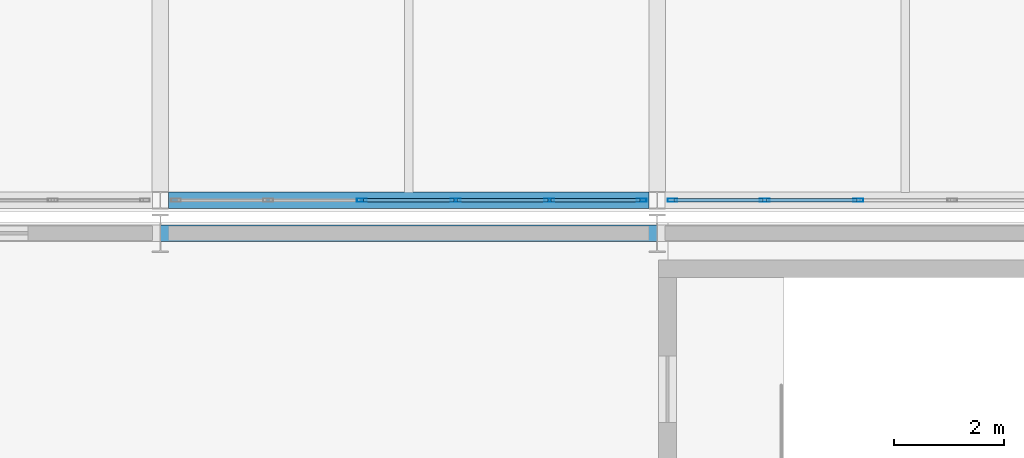
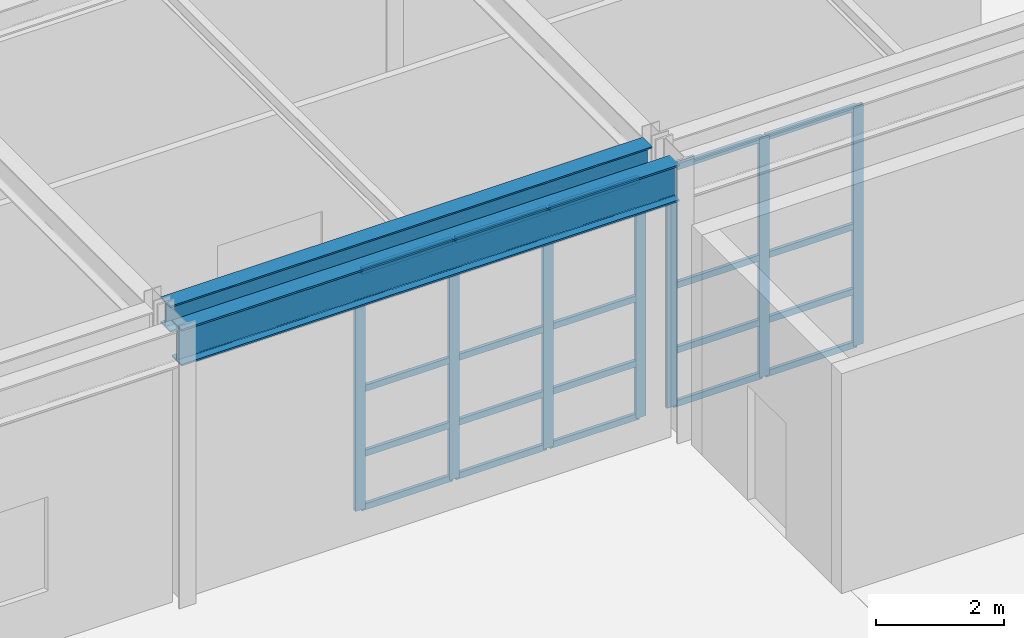
# One storey, part 25 of 239: 27 members, 2 beams, 2 elements without a shape of their own.
"""IFC4 building model written with IfcOpenShell, lengths in metres."""

from ifc_helpers import new_model, si_unit, direction, frame, origin, origin_2d, place, context, subcontext, project, spatial, hollow_rectangle, i_section, extrude, material, material_profile, profile_set, type_object, element, aggregate, save


model = new_model("IFC4")

# Units and contexts
model_context = context("Model", 3, precision=1e-05, world=origin(), true_north=direction((0.0, 1.0)))
body_context = subcontext(model_context, "Body", "Model", "MODEL_VIEW")
ifc_project = project(units=[si_unit("LENGTHUNIT", "METRE"), si_unit("AREAUNIT", "SQUARE_METRE"), si_unit("VOLUMEUNIT", "CUBIC_METRE"), si_unit("PLANEANGLEUNIT", "RADIAN"), si_unit("MASSUNIT", "GRAM", prefix="KILO")], contexts=[model_context])

# Site, building, storey
site_placement = place(None, origin())
site = spatial("IfcSite", under=ifc_project, at=site_placement, CompositionType="ELEMENT")
building_placement = place(site_placement, origin())
building = spatial("IfcBuilding", under=site, at=building_placement, Name="Kaldris Quays Convention Centre", CompositionType="ELEMENT")
storey_placement = place(building_placement, frame((0.0, 0.0, 11.39990234375)))
storey = spatial("IfcBuildingStorey", under=building, at=storey_placement, Name="L02", CompositionType="ELEMENT", Elevation=11.39990234375)

# Curtain wall, members
ifc_material_1 = material(Name="Anodized aluminium AW-6060 and triple glazing", Category="aluminium")
curtain_wall_type = type_object("IfcCurtainWallType", Name="UNITISED CURTAIN WALL CW02", PredefinedType="NOTDEFINED", material=ifc_material_1)
curtain_wall_1_placement = place(storey_placement, origin())
curtain_wall_1 = element("IfcCurtainWall", 1, at=curtain_wall_1_placement, inside=storey, type_object=curtain_wall_type, Name="L02 Unitised Curtain Wall CW02 98", PredefinedType="NOTDEFINED")
ifc_material_2 = material(Name="Anodized aluminium AW-6060", Category="aluminium")
ifc_material_profile_1 = material_profile(ifc_material_2, hollow_rectangle(XDim=0.06005859375, YDim=0.179931640625, WallThickness=0.0048828125, at=origin_2d()), Name="RHS 180x60x5")
ifc_profile_set_1 = profile_set([ifc_material_profile_1], Name="Anodized aluminium AW-6060")
member_type_1 = type_object("IfcMemberType", Name="CURTAIN MULLION CWM2", PredefinedType="MULLION", material=ifc_profile_set_1)
member_1_placement = place(storey_placement, frame((41.64990234375, 46.60009765625, 0.0), z_axis=(0.0, 0.0, 1.0), x_axis=(0.0, 1.0, 0.0)))
member_1 = element("IfcMember", 2, at=member_1_placement, type_object=member_type_1, Name="CW02 mullion 3", PredefinedType="MULLION", context=body_context, shape_type="SweptSolid", body=[
    extrude(hollow_rectangle(XDim=0.06005859375, YDim=0.179931640625, WallThickness=0.0048828125, at=origin_2d()), origin(), (0.0, 0.0, 1.0), 4.578125),
])
member_2_placement = place(storey_placement, frame((43.35009765625, 46.60009765625, 0.0), z_axis=(0.0, 0.0, 1.0), x_axis=(0.0, 1.0, 0.0)))
member_2 = element("IfcMember", 3, at=member_2_placement, type_object=member_type_1, Name="CW02 mullion 4", PredefinedType="MULLION", context=body_context, shape_type="SweptSolid", body=[
    extrude(hollow_rectangle(XDim=0.06005859375, YDim=0.179931640625, WallThickness=0.0048828125, at=origin_2d()), origin(), (0.0, 0.0, 1.0), 4.578125),
])
member_3_placement = place(storey_placement, frame((45.050048828125, 46.60009765625, 0.0), z_axis=(0.0, 0.0, 1.0), x_axis=(0.0, 1.0, 0.0)))
member_3 = element("IfcMember", 4, at=member_3_placement, type_object=member_type_1, Name="CW02 mullion 5", PredefinedType="MULLION", context=body_context, shape_type="SweptSolid", body=[
    extrude(hollow_rectangle(XDim=0.06005859375, YDim=0.179931640625, WallThickness=0.0048828125, at=origin_2d()), origin(), (0.0, 0.0, 1.0), 4.578125),
])
member_4_placement = place(storey_placement, frame((46.719970703125, 46.60009765625, 0.0), z_axis=(0.0, 0.0, 1.0), x_axis=(0.0, 1.0, 0.0)))
member_4 = element("IfcMember", 5, at=member_4_placement, type_object=member_type_1, Name="CW02 mullion 6", PredefinedType="MULLION", context=body_context, shape_type="SweptSolid", body=[
    extrude(hollow_rectangle(XDim=0.06005859375, YDim=0.179931640625, WallThickness=0.0048828125, at=origin_2d()), origin(), (0.0, 0.0, 1.0), 4.578125),
])

curtain_wall_2_placement = place(storey_placement, origin())
curtain_wall_2 = element("IfcCurtainWall", 6, at=curtain_wall_2_placement, inside=storey, type_object=curtain_wall_type, Name="L02 Unitised Curtain Wall CW02 99", PredefinedType="NOTDEFINED")
member_5_placement = place(storey_placement, frame((47.280029296875, 46.60009765625, 0.0), z_axis=(0.0, 0.0, 1.0), x_axis=(0.0, 1.0, 0.0)))
member_5 = element("IfcMember", 7, at=member_5_placement, type_object=member_type_1, Name="CW02 mullion 1", PredefinedType="MULLION", context=body_context, shape_type="SweptSolid", body=[
    extrude(hollow_rectangle(XDim=0.06005859375, YDim=0.179931640625, WallThickness=0.0048828125, at=origin_2d()), origin(), (0.0, 0.0, 1.0), 4.578125),
])
member_6_placement = place(storey_placement, frame((48.949951171875, 46.60009765625, 0.0), z_axis=(0.0, 0.0, 1.0), x_axis=(0.0, 1.0, 0.0)))
member_6 = element("IfcMember", 8, at=member_6_placement, type_object=member_type_1, Name="CW02 mullion 2", PredefinedType="MULLION", context=body_context, shape_type="SweptSolid", body=[
    extrude(hollow_rectangle(XDim=0.06005859375, YDim=0.179931640625, WallThickness=0.0048828125, at=origin_2d()), origin(), (0.0, 0.0, 1.0), 4.578125),
])
member_7_placement = place(storey_placement, frame((50.64990234375, 46.60009765625, 0.0), z_axis=(0.0, 0.0, 1.0), x_axis=(0.0, 1.0, 0.0)))
member_7 = element("IfcMember", 9, at=member_7_placement, type_object=member_type_1, Name="CW02 mullion 3", PredefinedType="MULLION", context=body_context, shape_type="SweptSolid", body=[
    extrude(hollow_rectangle(XDim=0.06005859375, YDim=0.179931640625, WallThickness=0.0048828125, at=origin_2d()), origin(), (0.0, 0.0, 1.0), 4.578125),
])

# Member
ifc_material_profile_2 = material_profile(ifc_material_2, hollow_rectangle(XDim=0.06005859375, YDim=0.1201171875, WallThickness=0.00390625, at=origin_2d()), Name="RHS 120x60x4")
ifc_profile_set_2 = profile_set([ifc_material_profile_2], Name="Anodized aluminium AW-6060")
member_type_2 = type_object("IfcMemberType", Name="CURTAIN TRANSOM CWT1", PredefinedType="USERDEFINED", material=ifc_profile_set_2)
member_8_placement = place(storey_placement, frame((41.679931640625, 46.60009765625, 0.030029296875), z_axis=(1.0, 0.0, 0.0), x_axis=(0.0, 1.0, 0.0)))
member_8 = element("IfcMember", 10, at=member_8_placement, type_object=member_type_2, Name="CW02 transom 3.1", ObjectType="TRANSOM", PredefinedType="USERDEFINED", context=body_context, shape_type="SweptSolid", body=[
    extrude(hollow_rectangle(XDim=0.06005859375, YDim=0.1201171875, WallThickness=0.00390625, at=origin_2d()), origin(), (0.0, 0.0, 1.0), 1.64013671875),
])

member_9_placement = place(storey_placement, frame((41.679931640625, 46.60009765625, 1.050048828125), z_axis=(1.0, 0.0, 0.0), x_axis=(0.0, 1.0, 0.0)))
member_9 = element("IfcMember", 11, at=member_9_placement, type_object=member_type_2, Name="CW02 transom 3.2", ObjectType="TRANSOM", PredefinedType="USERDEFINED", context=body_context, shape_type="SweptSolid", body=[
    extrude(hollow_rectangle(XDim=0.06005859375, YDim=0.1201171875, WallThickness=0.00390625, at=origin_2d()), origin(), (0.0, 0.0, 1.0), 1.64013671875),
])

member_10_placement = place(storey_placement, frame((41.679931640625, 46.60009765625, 2.2890625), z_axis=(1.0, 0.0, 0.0), x_axis=(0.0, 1.0, 0.0)))
member_10 = element("IfcMember", 12, at=member_10_placement, type_object=member_type_2, Name="CW02 transom 3.3", ObjectType="TRANSOM", PredefinedType="USERDEFINED", context=body_context, shape_type="SweptSolid", body=[
    extrude(hollow_rectangle(XDim=0.06005859375, YDim=0.1201171875, WallThickness=0.00390625, at=origin_2d()), origin(), (0.0, 0.0, 1.0), 1.64013671875),
])

member_11_placement = place(storey_placement, frame((41.679931640625, 46.60009765625, 4.548095703125), z_axis=(1.0, 0.0, 0.0), x_axis=(0.0, 1.0, 0.0)))
member_11 = element("IfcMember", 13, at=member_11_placement, type_object=member_type_2, Name="CW02 transom 3.4", ObjectType="TRANSOM", PredefinedType="USERDEFINED", context=body_context, shape_type="SweptSolid", body=[
    extrude(hollow_rectangle(XDim=0.06005859375, YDim=0.1201171875, WallThickness=0.00390625, at=origin_2d()), origin(), (0.0, 0.0, 1.0), 1.64013671875),
])

member_12_placement = place(storey_placement, frame((43.3798828125, 46.60009765625, 0.030029296875), z_axis=(1.0, 0.0, 0.0), x_axis=(0.0, 1.0, 0.0)))
member_12 = element("IfcMember", 14, at=member_12_placement, type_object=member_type_2, Name="CW02 transom 4.1", ObjectType="TRANSOM", PredefinedType="USERDEFINED", context=body_context, shape_type="SweptSolid", body=[
    extrude(hollow_rectangle(XDim=0.06005859375, YDim=0.1201171875, WallThickness=0.00390625, at=origin_2d()), origin(), (0.0, 0.0, 1.0), 1.64013671875),
])

member_13_placement = place(storey_placement, frame((43.3798828125, 46.60009765625, 1.050048828125), z_axis=(1.0, 0.0, 0.0), x_axis=(0.0, 1.0, 0.0)))
member_13 = element("IfcMember", 15, at=member_13_placement, type_object=member_type_2, Name="CW02 transom 4.2", ObjectType="TRANSOM", PredefinedType="USERDEFINED", context=body_context, shape_type="SweptSolid", body=[
    extrude(hollow_rectangle(XDim=0.06005859375, YDim=0.1201171875, WallThickness=0.00390625, at=origin_2d()), origin(), (0.0, 0.0, 1.0), 1.64013671875),
])

member_14_placement = place(storey_placement, frame((43.3798828125, 46.60009765625, 2.2890625), z_axis=(1.0, 0.0, 0.0), x_axis=(0.0, 1.0, 0.0)))
member_14 = element("IfcMember", 16, at=member_14_placement, type_object=member_type_2, Name="CW02 transom 4.3", ObjectType="TRANSOM", PredefinedType="USERDEFINED", context=body_context, shape_type="SweptSolid", body=[
    extrude(hollow_rectangle(XDim=0.06005859375, YDim=0.1201171875, WallThickness=0.00390625, at=origin_2d()), origin(), (0.0, 0.0, 1.0), 1.64013671875),
])

member_15_placement = place(storey_placement, frame((43.3798828125, 46.60009765625, 4.548095703125), z_axis=(1.0, 0.0, 0.0), x_axis=(0.0, 1.0, 0.0)))
member_15 = element("IfcMember", 17, at=member_15_placement, type_object=member_type_2, Name="CW02 transom 4.4", ObjectType="TRANSOM", PredefinedType="USERDEFINED", context=body_context, shape_type="SweptSolid", body=[
    extrude(hollow_rectangle(XDim=0.06005859375, YDim=0.1201171875, WallThickness=0.00390625, at=origin_2d()), origin(), (0.0, 0.0, 1.0), 1.64013671875),
])

member_16_placement = place(storey_placement, frame((45.080078125, 46.60009765625, 0.030029296875), z_axis=(1.0, 0.0, 0.0), x_axis=(0.0, 1.0, 0.0)))
member_16 = element("IfcMember", 18, at=member_16_placement, type_object=member_type_2, Name="CW02 transom 5.1", ObjectType="TRANSOM", PredefinedType="USERDEFINED", context=body_context, shape_type="SweptSolid", body=[
    extrude(hollow_rectangle(XDim=0.06005859375, YDim=0.1201171875, WallThickness=0.00390625, at=origin_2d()), origin(), (0.0, 0.0, 1.0), 1.60986328125),
])

member_17_placement = place(storey_placement, frame((45.080078125, 46.60009765625, 1.050048828125), z_axis=(1.0, 0.0, 0.0), x_axis=(0.0, 1.0, 0.0)))
member_17 = element("IfcMember", 19, at=member_17_placement, type_object=member_type_2, Name="CW02 transom 5.2", ObjectType="TRANSOM", PredefinedType="USERDEFINED", context=body_context, shape_type="SweptSolid", body=[
    extrude(hollow_rectangle(XDim=0.06005859375, YDim=0.1201171875, WallThickness=0.00390625, at=origin_2d()), origin(), (0.0, 0.0, 1.0), 1.60986328125),
])

member_18_placement = place(storey_placement, frame((45.080078125, 46.60009765625, 2.2890625), z_axis=(1.0, 0.0, 0.0), x_axis=(0.0, 1.0, 0.0)))
member_18 = element("IfcMember", 20, at=member_18_placement, type_object=member_type_2, Name="CW02 transom 5.3", ObjectType="TRANSOM", PredefinedType="USERDEFINED", context=body_context, shape_type="SweptSolid", body=[
    extrude(hollow_rectangle(XDim=0.06005859375, YDim=0.1201171875, WallThickness=0.00390625, at=origin_2d()), origin(), (0.0, 0.0, 1.0), 1.60986328125),
])

member_19_placement = place(storey_placement, frame((45.080078125, 46.60009765625, 4.548095703125), z_axis=(1.0, 0.0, 0.0), x_axis=(0.0, 1.0, 0.0)))
member_19 = element("IfcMember", 21, at=member_19_placement, type_object=member_type_2, Name="CW02 transom 5.4", ObjectType="TRANSOM", PredefinedType="USERDEFINED", context=body_context, shape_type="SweptSolid", body=[
    extrude(hollow_rectangle(XDim=0.06005859375, YDim=0.1201171875, WallThickness=0.00390625, at=origin_2d()), origin(), (0.0, 0.0, 1.0), 1.60986328125),
])

aggregate(curtain_wall_1, [member_1, member_2, member_3, member_4, member_8, member_9, member_10, member_11, member_12, member_13, member_14, member_15, member_16, member_17, member_18, member_19])

member_20_placement = place(storey_placement, frame((47.31005859375, 46.60009765625, 0.030029296875), z_axis=(1.0, 0.0, 0.0), x_axis=(0.0, 1.0, 0.0)))
member_20 = element("IfcMember", 22, at=member_20_placement, type_object=member_type_2, Name="CW02 transom 1.1", ObjectType="TRANSOM", PredefinedType="USERDEFINED", context=body_context, shape_type="SweptSolid", body=[
    extrude(hollow_rectangle(XDim=0.06005859375, YDim=0.1201171875, WallThickness=0.00390625, at=origin_2d()), origin(), (0.0, 0.0, 1.0), 1.60986328125),
])

member_21_placement = place(storey_placement, frame((47.31005859375, 46.60009765625, 1.050048828125), z_axis=(1.0, 0.0, 0.0), x_axis=(0.0, 1.0, 0.0)))
member_21 = element("IfcMember", 23, at=member_21_placement, type_object=member_type_2, Name="CW02 transom 1.2", ObjectType="TRANSOM", PredefinedType="USERDEFINED", context=body_context, shape_type="SweptSolid", body=[
    extrude(hollow_rectangle(XDim=0.06005859375, YDim=0.1201171875, WallThickness=0.00390625, at=origin_2d()), origin(), (0.0, 0.0, 1.0), 1.60986328125),
])

member_22_placement = place(storey_placement, frame((47.31005859375, 46.60009765625, 2.2890625), z_axis=(1.0, 0.0, 0.0), x_axis=(0.0, 1.0, 0.0)))
member_22 = element("IfcMember", 24, at=member_22_placement, type_object=member_type_2, Name="CW02 transom 1.3", ObjectType="TRANSOM", PredefinedType="USERDEFINED", context=body_context, shape_type="SweptSolid", body=[
    extrude(hollow_rectangle(XDim=0.06005859375, YDim=0.1201171875, WallThickness=0.00390625, at=origin_2d()), origin(), (0.0, 0.0, 1.0), 1.60986328125),
])

member_23_placement = place(storey_placement, frame((47.31005859375, 46.60009765625, 4.548095703125), z_axis=(1.0, 0.0, 0.0), x_axis=(0.0, 1.0, 0.0)))
member_23 = element("IfcMember", 25, at=member_23_placement, type_object=member_type_2, Name="CW02 transom 1.4", ObjectType="TRANSOM", PredefinedType="USERDEFINED", context=body_context, shape_type="SweptSolid", body=[
    extrude(hollow_rectangle(XDim=0.06005859375, YDim=0.1201171875, WallThickness=0.00390625, at=origin_2d()), origin(), (0.0, 0.0, 1.0), 1.60986328125),
])

member_24_placement = place(storey_placement, frame((48.97998046875, 46.60009765625, 0.030029296875), z_axis=(1.0, 0.0, 0.0), x_axis=(0.0, 1.0, 0.0)))
member_24 = element("IfcMember", 26, at=member_24_placement, type_object=member_type_2, Name="CW02 transom 2.1", ObjectType="TRANSOM", PredefinedType="USERDEFINED", context=body_context, shape_type="SweptSolid", body=[
    extrude(hollow_rectangle(XDim=0.06005859375, YDim=0.1201171875, WallThickness=0.00390625, at=origin_2d()), origin(), (0.0, 0.0, 1.0), 1.64013671875),
])

member_25_placement = place(storey_placement, frame((48.97998046875, 46.60009765625, 1.050048828125), z_axis=(1.0, 0.0, 0.0), x_axis=(0.0, 1.0, 0.0)))
member_25 = element("IfcMember", 27, at=member_25_placement, type_object=member_type_2, Name="CW02 transom 2.2", ObjectType="TRANSOM", PredefinedType="USERDEFINED", context=body_context, shape_type="SweptSolid", body=[
    extrude(hollow_rectangle(XDim=0.06005859375, YDim=0.1201171875, WallThickness=0.00390625, at=origin_2d()), origin(), (0.0, 0.0, 1.0), 1.64013671875),
])

member_26_placement = place(storey_placement, frame((48.97998046875, 46.60009765625, 2.2890625), z_axis=(1.0, 0.0, 0.0), x_axis=(0.0, 1.0, 0.0)))
member_26 = element("IfcMember", 28, at=member_26_placement, type_object=member_type_2, Name="CW02 transom 2.3", ObjectType="TRANSOM", PredefinedType="USERDEFINED", context=body_context, shape_type="SweptSolid", body=[
    extrude(hollow_rectangle(XDim=0.06005859375, YDim=0.1201171875, WallThickness=0.00390625, at=origin_2d()), origin(), (0.0, 0.0, 1.0), 1.64013671875),
])

member_27_placement = place(storey_placement, frame((48.97998046875, 46.60009765625, 4.548095703125), z_axis=(1.0, 0.0, 0.0), x_axis=(0.0, 1.0, 0.0)))
member_27 = element("IfcMember", 29, at=member_27_placement, type_object=member_type_2, Name="CW02 transom 2.4", ObjectType="TRANSOM", PredefinedType="USERDEFINED", context=body_context, shape_type="SweptSolid", body=[
    extrude(hollow_rectangle(XDim=0.06005859375, YDim=0.1201171875, WallThickness=0.00390625, at=origin_2d()), origin(), (0.0, 0.0, 1.0), 1.64013671875),
])

aggregate(curtain_wall_2, [member_5, member_6, member_7, member_20, member_21, member_22, member_23, member_24, member_25, member_26, member_27])

# Beams
ifc_material_3 = material(Name="Steel S355J2", Category="steel")
ifc_material_profile_3 = material_profile(ifc_material_3, i_section(OverallWidth=0.300048828125, OverallDepth=0.699951171875, WebThickness=0.01708984375, FlangeThickness=0.031982421875, FilletRadius=0.027099609375, at=origin_2d()), Name="HEB 700")
ifc_profile_set_3 = profile_set([ifc_material_profile_3], Name="Steel S355J2")
beam_type_1 = type_object("IfcBeamType", Name="STRUCTURAL BEAM BM04", PredefinedType="BEAM", material=ifc_profile_set_3)
beam_1_placement = place(storey_placement, frame((38.00244140625, 46.0, 4.81298828125), z_axis=(1.0, 0.0, 0.0), x_axis=(0.0, 1.0, 0.0)))
element("IfcBeam", 30, at=beam_1_placement, inside=storey, type_object=beam_type_1, Name="L02 Girder BM04 10", PredefinedType="BEAM", context=body_context, shape_type="SweptSolid", body=[
    extrude(i_section(OverallWidth=0.300048828125, OverallDepth=0.699951171875, WebThickness=0.01708984375, FlangeThickness=0.031982421875, FilletRadius=0.027099609375, at=origin_2d()), origin(), (0.0, 0.0, 1.0), 8.9951171875),
])
ifc_material_profile_4 = material_profile(ifc_material_3, i_section(OverallWidth=0.300048828125, OverallDepth=0.5, WebThickness=0.014404296875, FlangeThickness=0.028076171875, FilletRadius=0.027099609375, at=origin_2d()), Name="HEB 500")
ifc_profile_set_4 = profile_set([ifc_material_profile_4], Name="Steel S355J2")
beam_type_2 = type_object("IfcBeamType", Name="STRUCTURAL BEAM BM06", PredefinedType="BEAM", material=ifc_profile_set_4)
beam_2_placement = place(storey_placement, frame((38.14404296875, 46.60009765625, 4.943115234375), z_axis=(1.0, 0.0, 0.0), x_axis=(0.0, 1.0, 0.0)))
element("IfcBeam", 31, at=beam_2_placement, inside=storey, type_object=beam_type_2, Name="L02 Girder BM06 2", PredefinedType="BEAM", context=body_context, shape_type="SweptSolid", body=[
    extrude(i_section(OverallWidth=0.300048828125, OverallDepth=0.5, WebThickness=0.014404296875, FlangeThickness=0.028076171875, FilletRadius=0.027099609375, at=origin_2d()), origin(), (0.0, 0.0, 1.0), 8.7119140625),
])

save(model, "model.ifc")
